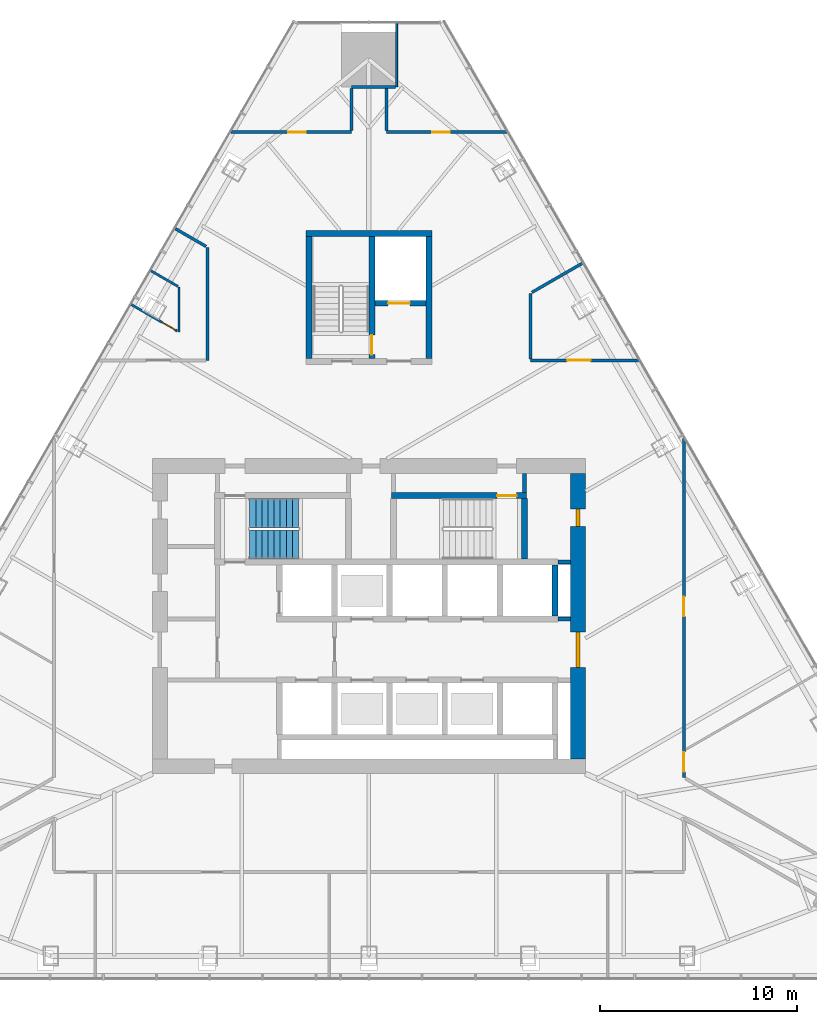
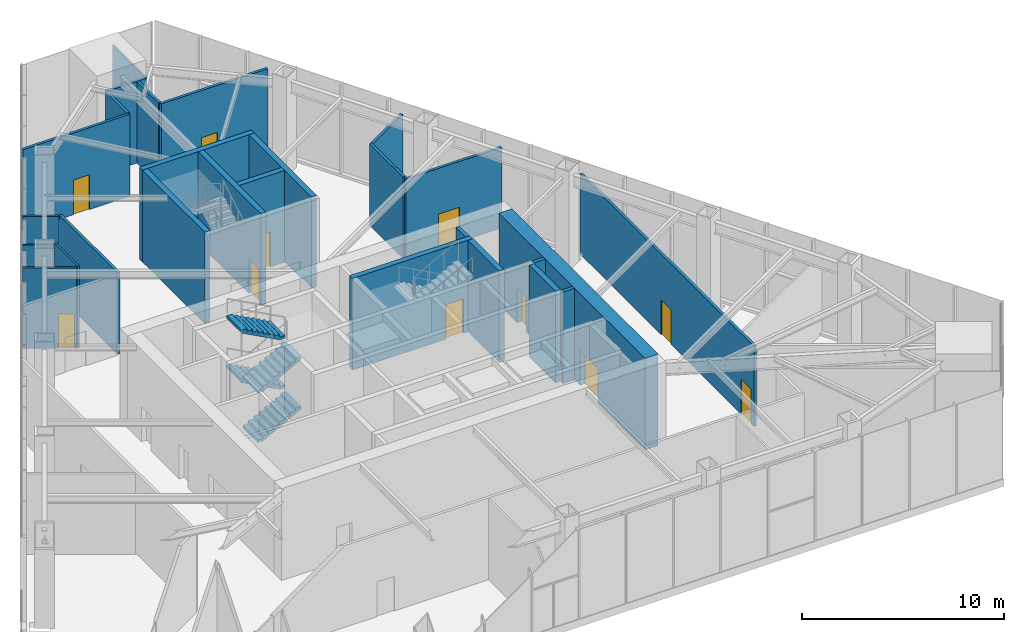
# One storey, part 12 of 16: 27 walls, 11 doors, 4 stair flights, 11 openings, 1 element without a shape of its own.
"""IFC4 building model written with IfcOpenShell, lengths in metres."""

from ifc_helpers import new_model, si_unit, direction, frame, frame_2d, origin, place, context, subcontext, project, spatial, polyline, rectangle, outline, extrude, material, layer, layer_set, type_object, element, fill, aggregate, save


model = new_model("IFC4")

# Units and contexts
model_context = context("Model", 3, precision=1e-05, world=origin(), true_north=direction((0.0, 1.0)))
body_context = subcontext(model_context, "Body", "Model", "MODEL_VIEW")
ifc_project = project(units=[si_unit("LENGTHUNIT", "METRE"), si_unit("AREAUNIT", "SQUARE_METRE"), si_unit("VOLUMEUNIT", "CUBIC_METRE"), si_unit("PLANEANGLEUNIT", "RADIAN"), si_unit("MASSUNIT", "GRAM", prefix="KILO")], contexts=[model_context])

# Site, building, storey
site_placement = place(None, origin())
site = spatial("IfcSite", under=ifc_project, at=site_placement, CompositionType="ELEMENT")
building_placement = place(site_placement, origin())
building = spatial("IfcBuilding", under=site, at=building_placement, Name="Firuza Gate Tower and Library", CompositionType="ELEMENT")
storey_placement = place(building_placement, frame((0.0, 0.0, 241.60009765625)))
storey = spatial("IfcBuildingStorey", under=building, at=storey_placement, Name="L57", CompositionType="ELEMENT", Elevation=241.60009765625)

# Walls
ifc_material_1 = material(Name="Plasterboard on steel studs", Category="steel")
ifc_layer_1 = layer(ifc_material_1, 0.199951171875)
ifc_layer_set_1 = layer_set([ifc_layer_1], Name="Core partition 200 EI 120")
wall_type_1 = type_object("IfcWallType", Name="Core partition 200 EI 120", PredefinedType="PARTITIONING", material=ifc_layer_set_1)
for number, where, z_axis, x_axis, name in (
    (1, (84.60009765625, 74.85009765625, 0.0), (0.0, 0.0, 1.0), (1.0, 0.0, 0.0), "Core partition L57 4"),
    (2, (84.60009765625, 77.75, 0.0), (0.0, 0.0, 1.0), (1.0, 0.0, 0.0), "Core partition L57 5"),
):
    element("IfcWall", number, at=place(storey_placement, frame(where, z_axis=z_axis, x_axis=x_axis)), inside=storey, type_object=wall_type_1, Name=name, PredefinedType="PARTITIONING", context=body_context, shape_type="SweptSolid", body=[
        extrude(rectangle(XDim=0.64990234375, YDim=0.199951171875, at=frame_2d((0.324951171875, 0.0))), origin(), (0.0, 0.0, 1.0), 5.5498046875),
    ])
ifc_material_2 = material(Name="Plasterboard on steel studs", Category="steel")
ifc_layer_2 = layer(ifc_material_2, 0.199951171875)
ifc_layer_set_2 = layer_set([ifc_layer_2], Name="Core partition 200 EI 60")
wall_type_2 = type_object("IfcWallType", Name="Core partition 200 EI 60", PredefinedType="PARTITIONING", material=ifc_layer_set_2)
wall_1_placement = place(storey_placement, frame((82.89990234375, 81.280029296875, 0.0), z_axis=(0.0, 0.0, 1.0), x_axis=(0.0, 1.0, 0.0)))
element("IfcWall", 3, at=wall_1_placement, inside=storey, type_object=wall_type_2, Name="Core partition L57 13", PredefinedType="PARTITIONING", context=body_context, shape_type="SweptSolid", body=[
    extrude(rectangle(XDim=0.969970703125, YDim=0.199951171875, at=frame_2d((0.48486328125, 0.0))), origin(), (0.0, 0.0, 1.0), 5.5498046875),
])
ifc_material_3 = material(Name="Concrete C80/95", Category="concrete")
ifc_layer_3 = layer(ifc_material_3, 0.300048828125)
ifc_layer_set_3 = layer_set([ifc_layer_3], Name="Core wall 300 C80/95")
wall_type_3 = type_object("IfcWallType", Name="Core wall 300 C80/95", PredefinedType="SHEAR", material=ifc_layer_set_3)
wall_2_placement = place(storey_placement, frame((84.449951171875, 75.0, 0.0), z_axis=(0.0, 0.0, 1.0), x_axis=(0.0, 1.0, 0.0)))
element("IfcWall", 4, at=wall_2_placement, inside=storey, type_object=wall_type_3, Name="Core wall L57 19", PredefinedType="SHEAR", context=body_context, shape_type="SweptSolid", body=[
    extrude(rectangle(XDim=2.60009765625, YDim=0.300048828125, at=frame_2d((1.300048828125, 0.0))), origin(), (0.0, 0.0, 1.0), 5.5498046875),
])

# Wall, opening, door
wall_3_placement = place(storey_placement, frame((76.139892578125, 81.1298828125, 0.0), z_axis=(0.0, 0.0, 1.0), x_axis=(1.0, 0.0, 0.0)))
wall_3 = element("IfcWall", 5, at=wall_3_placement, inside=storey, type_object=wall_type_3, Name="Core wall L57 22", PredefinedType="SHEAR", context=body_context, shape_type="SweptSolid", body=[
    extrude(rectangle(XDim=6.860107421875, YDim=0.300048828125, at=frame_2d((3.43017578125, 0.0))), origin(), (0.0, 0.0, 1.0), 5.5498046875),
])
opening_1_placement = place(wall_3_placement, frame((5.364990234375, 0.0, 0.0)))
opening_1 = element("IfcOpeningElement", 6, at=opening_1_placement, cuts=wall_3, Name="Opening L57-K13", PredefinedType="OPENING", context=body_context, shape_type="SweptSolid", body=[
    extrude(rectangle(XDim=1.0, YDim=2.10009765625, at=frame_2d((0.5, 1.050048828125))), frame((0.0, 0.16015625, 0.0), z_axis=(0.0, -1.0, 0.0), x_axis=(1.0, 0.0, 0.0)), (0.0, 0.0, 1.0), 0.320068359375),
])
ifc_material_4 = material(Name="Steel", Category="steel")
door_type_1 = type_object("IfcDoorType", Name="Fire door 1000x2100 FD90", OperationType="NOTDEFINED", PredefinedType="DOOR", material=ifc_material_4)
door_1_placement = place(opening_1_placement, origin())
door_1 = element("IfcDoor", 7, at=door_1_placement, inside=storey, type_object=door_type_1, Name="Door L57-K13", OperationType="SINGLE_SWING_RIGHT", OverallHeight=2.10009765625, OverallWidth=1.0, PredefinedType="DOOR", context=body_context, shape_type="SweptSolid", body=[
    extrude(rectangle(XDim=1.0, YDim=2.10009765625, at=frame_2d((0.5, 1.050048828125))), frame((0.0, 0.02490234375, 0.0), z_axis=(0.0, -1.0, 0.0), x_axis=(1.0, 0.0, 0.0)), (0.0, 0.0, 1.0), 0.050048828125),
])
fill(opening_1, door_1)

# Walls
wall_4_placement = place(storey_placement, frame((82.89990234375, 77.89990234375, 0.0), z_axis=(0.0, 0.0, 1.0), x_axis=(0.0, 1.0, 0.0)))
element("IfcWall", 8, at=wall_4_placement, inside=storey, type_object=wall_type_3, Name="Core wall L57 26", PredefinedType="SHEAR", context=body_context, shape_type="SweptSolid", body=[
    extrude(rectangle(XDim=3.080078125, YDim=0.300048828125, at=frame_2d((1.5400390625, 0.0))), origin(), (0.0, 0.0, 1.0), 5.5498046875),
])
wall_5_placement = place(storey_placement, frame((71.800048828125, 94.449951171875, 0.0), z_axis=(0.0, 0.0, 1.0), x_axis=(1.0, 0.0, 0.0)))
element("IfcWall", 9, at=wall_5_placement, inside=storey, type_object=wall_type_3, Name="Core wall L57 28", PredefinedType="SHEAR", context=body_context, shape_type="SweptSolid", body=[
    extrude(rectangle(XDim=6.39990234375, YDim=0.300048828125, at=frame_2d((3.199951171875, 0.0))), origin(), (0.0, 0.0, 1.0), 5.5498046875),
])
for number, where, z_axis, x_axis, name in (
    (10, (71.949951171875, 88.10009765625, 0.0), (0.0, 0.0, 1.0), (0.0, 1.0, 0.0), "Core wall L57 29"),
    (11, (78.050048828125, 88.10009765625, 0.0), (0.0, 0.0, 1.0), (0.0, 1.0, 0.0), "Core wall L57 30"),
):
    element("IfcWall", number, at=place(storey_placement, frame(where, z_axis=z_axis, x_axis=x_axis)), inside=storey, type_object=wall_type_3, Name=name, PredefinedType="SHEAR", context=body_context, shape_type="SweptSolid", body=[
        extrude(rectangle(XDim=6.199951171875, YDim=0.300048828125, at=frame_2d((3.10009765625, 0.0))), origin(), (0.0, 0.0, 1.0), 5.5498046875),
    ])

# Wall, opening, door
wall_6_placement = place(storey_placement, frame((75.300048828125, 90.89990234375, 0.0), z_axis=(0.0, 0.0, 1.0), x_axis=(1.0, 0.0, 0.0)))
wall_6 = element("IfcWall", 12, at=wall_6_placement, inside=storey, type_object=wall_type_3, Name="Core wall L57 31", PredefinedType="SHEAR", context=body_context, shape_type="SweptSolid", body=[
    extrude(rectangle(XDim=2.599853515625, YDim=0.300048828125, at=frame_2d((1.2998046875, 0.0))), origin(), (0.0, 0.0, 1.0), 5.5498046875),
])
opening_2_placement = place(wall_6_placement, frame((0.675048828125, 0.0, 0.0)))
opening_2 = element("IfcOpeningElement", 13, at=opening_2_placement, cuts=wall_6, Name="Opening LD-SV1-L57", PredefinedType="OPENING", context=body_context, shape_type="SweptSolid", body=[
    extrude(rectangle(XDim=1.10009765625, YDim=2.10009765625, at=frame_2d((0.550048828125, 1.050048828125))), frame((0.0, 0.16015625, 0.0), z_axis=(0.0, -1.0, 0.0), x_axis=(1.0, 0.0, 0.0)), (0.0, 0.0, 1.0), 0.320068359375),
])
ifc_material_5 = material(Name="Stainless steel", Category="steel")
door_type_2 = type_object("IfcDoorType", Name="Lift landing door 1100x2100", OperationType="DOUBLE_DOOR_SLIDING", PredefinedType="DOOR", material=ifc_material_5)
door_2_placement = place(opening_2_placement, origin())
door_2 = element("IfcDoor", 14, at=door_2_placement, inside=storey, type_object=door_type_2, Name="Landing door SV1 L57", OperationType="DOUBLE_DOOR_SLIDING", OverallHeight=2.10009765625, OverallWidth=1.10009765625, PredefinedType="DOOR", context=body_context, shape_type="SweptSolid", body=[
    extrude(rectangle(XDim=1.10009765625, YDim=2.10009765625, at=frame_2d((0.550048828125, 1.050048828125))), frame((0.0, 0.02490234375, 0.0), z_axis=(0.0, -1.0, 0.0), x_axis=(1.0, 0.0, 0.0)), (0.0, 0.0, 1.0), 0.050048828125),
])
fill(opening_2, door_2)

wall_7_placement = place(storey_placement, frame((75.14990234375, 88.10009765625, 0.0), z_axis=(0.0, 0.0, 1.0), x_axis=(0.0, 1.0, 0.0)))
wall_7 = element("IfcWall", 15, at=wall_7_placement, inside=storey, type_object=wall_type_3, Name="Core wall L57 32", PredefinedType="SHEAR", context=body_context, shape_type="SweptSolid", body=[
    extrude(rectangle(XDim=6.199951171875, YDim=0.300048828125, at=frame_2d((3.10009765625, 0.0))), origin(), (0.0, 0.0, 1.0), 5.5498046875),
])
opening_3_placement = place(wall_7_placement, frame((0.18505859375, 0.0, 0.0)))
opening_3 = element("IfcOpeningElement", 16, at=opening_3_placement, cuts=wall_7, Name="Opening L57-K16", PredefinedType="OPENING", context=body_context, shape_type="SweptSolid", body=[
    extrude(rectangle(XDim=1.0, YDim=2.10009765625, at=frame_2d((0.5, 1.050048828125))), frame((0.0, 0.16015625, 0.0), z_axis=(0.0, -1.0, 0.0), x_axis=(1.0, 0.0, 0.0)), (0.0, 0.0, 1.0), 0.320068359375),
])
door_3_placement = place(opening_3_placement, origin())
door_3 = element("IfcDoor", 17, at=door_3_placement, inside=storey, type_object=door_type_1, Name="Door L57-K16", OperationType="SINGLE_SWING_LEFT", OverallHeight=2.10009765625, OverallWidth=1.0, PredefinedType="DOOR", context=body_context, shape_type="SweptSolid", body=[
    extrude(rectangle(XDim=1.0, YDim=2.10009765625, at=frame_2d((0.5, 1.050048828125))), frame((0.0, 0.02490234375, 0.0), z_axis=(0.0, -1.0, 0.0), x_axis=(1.0, 0.0, 0.0)), (0.0, 0.0, 1.0), 0.050048828125),
])
fill(opening_3, door_3)

# Wall, openings, doors
ifc_material_6 = material(Name="Concrete C80/95", Category="concrete")
ifc_layer_4 = layer(ifc_material_6, 0.75)
ifc_layer_set_4 = layer_set([ifc_layer_4], Name="Core wall 750 C80/95")
wall_type_4 = type_object("IfcWallType", Name="Core wall 750 C80/95", PredefinedType="SHEAR", material=ifc_layer_set_4)
wall_8_placement = place(storey_placement, frame((85.625, 67.75, 0.0), z_axis=(0.0, 0.0, 1.0), x_axis=(0.0, 1.0, 0.0)))
wall_8 = element("IfcWall", 18, at=wall_8_placement, inside=storey, type_object=wall_type_4, Name="Core wall L57 4", PredefinedType="SHEAR", context=body_context, shape_type="SweptSolid", body=[
    extrude(rectangle(XDim=14.5, YDim=0.75, at=frame_2d((7.25, 0.0))), origin(), (0.0, 0.0, 1.0), 5.5498046875),
])
opening_4_placement = place(wall_8_placement, frame((4.64990234375, 0.0, 0.0)))
opening_4 = element("IfcOpeningElement", 19, at=opening_4_placement, cuts=wall_8, Name="Opening L57-K21", PredefinedType="OPENING", context=body_context, shape_type="SweptSolid", body=[
    extrude(rectangle(XDim=1.800048828125, YDim=2.10009765625, at=frame_2d((0.89990234375, 1.050048828125))), frame((0.0, 0.385009765625, 0.0), z_axis=(0.0, -1.0, 0.0), x_axis=(1.0, 0.0, 0.0)), (0.0, 0.0, 1.0), 0.77001953125),
])
opening_5_placement = place(wall_8_placement, frame((11.800048828125, 0.0, 0.0)))
opening_5 = element("IfcOpeningElement", 20, at=opening_5_placement, cuts=wall_8, Name="Opening L57-K26", PredefinedType="OPENING", context=body_context, shape_type="SweptSolid", body=[
    extrude(rectangle(XDim=0.89990234375, YDim=2.10009765625, at=frame_2d((0.449951171875, 1.050048828125))), frame((0.0, 0.385009765625, 0.0), z_axis=(0.0, -1.0, 0.0), x_axis=(1.0, 0.0, 0.0)), (0.0, 0.0, 1.0), 0.77001953125),
])
ifc_material_7 = material(Name="Steel", Category="steel")
door_type_3 = type_object("IfcDoorType", Name="Fire door 1800x2100 FD30S", OperationType="NOTDEFINED", PredefinedType="DOOR", material=ifc_material_7)
door_4_placement = place(opening_4_placement, origin())
door_4 = element("IfcDoor", 21, at=door_4_placement, inside=storey, type_object=door_type_3, Name="Door L57-K21", OperationType="SINGLE_SWING_RIGHT", OverallHeight=2.10009765625, OverallWidth=1.800048828125, PredefinedType="DOOR", context=body_context, shape_type="SweptSolid", body=[
    extrude(rectangle(XDim=1.800048828125, YDim=2.10009765625, at=frame_2d((0.89990234375, 1.050048828125))), frame((0.0, 0.094970703125, 0.0), z_axis=(0.0, -1.0, 0.0), x_axis=(1.0, 0.0, 0.0)), (0.0, 0.0, 1.0), 0.18994140625),
])
fill(opening_4, door_4)
ifc_material_8 = material(Name="Steel", Category="steel")
door_type_4 = type_object("IfcDoorType", Name="Fire door 900x2100 FD30S", OperationType="NOTDEFINED", PredefinedType="DOOR", material=ifc_material_8)
door_5_placement = place(opening_5_placement, origin())
door_5 = element("IfcDoor", 22, at=door_5_placement, inside=storey, type_object=door_type_4, Name="Door L57-K26", OperationType="SINGLE_SWING_LEFT", OverallHeight=2.10009765625, OverallWidth=0.89990234375, PredefinedType="DOOR", context=body_context, shape_type="SweptSolid", body=[
    extrude(rectangle(XDim=0.89990234375, YDim=2.10009765625, at=frame_2d((0.449951171875, 1.050048828125))), frame((0.0, 0.094970703125, 0.0), z_axis=(0.0, -1.0, 0.0), x_axis=(1.0, 0.0, 0.0)), (0.0, 0.0, 1.0), 0.18994140625),
])
fill(opening_5, door_5)

# Wall, opening, door
ifc_material_9 = material(Name="Gypsum board partition")
ifc_layer_5 = layer(ifc_material_9, 0.14990234375)
ifc_layer_set_5 = layer_set([ifc_layer_5], Name="Corridor wall 150 double board on steel studs")
wall_type_5 = type_object("IfcWallType", Name="Corridor wall 150 double board on steel studs", PredefinedType="PARTITIONING", material=ifc_layer_set_5)
wall_9_placement = place(storey_placement, frame((83.199951171875, 88.0, 0.0), z_axis=(0.0, 0.0, 1.0), x_axis=(1.0, 0.0, 0.0)))
wall_9 = element("IfcWall", 23, at=wall_9_placement, inside=storey, type_object=wall_type_5, Name="f:L57:w002", PredefinedType="PARTITIONING", context=body_context, shape_type="SweptSolid", body=[
    extrude(rectangle(XDim=5.50048828125, YDim=0.14990234375, at=frame_2d((2.750244140625, 0.0))), origin(), (0.0, 0.0, 1.0), 4.871826171875),
])
opening_6_placement = place(wall_9_placement, frame((1.861572265625, 0.0, 0.0)))
opening_6 = element("IfcOpeningElement", 24, at=opening_6_placement, cuts=wall_9, Name="Opening L57-06", PredefinedType="OPENING", context=body_context, shape_type="SweptSolid", body=[
    extrude(rectangle(XDim=1.199951171875, YDim=2.10009765625, at=frame_2d((0.60009765625, 1.050048828125))), frame((0.0, 0.0849609375, 0.0), z_axis=(0.0, -1.0, 0.0), x_axis=(1.0, 0.0, 0.0)), (0.0, 0.0, 1.0), 0.169921875),
])
ifc_material_10 = material(Name="Steel door and timber leaf", Category="steel")
door_type_5 = type_object("IfcDoorType", Name="Fire door 1200 x 2100 steel frame, double leaf", OperationType="NOTDEFINED", PredefinedType="DOOR", material=ifc_material_10)
door_6_placement = place(opening_6_placement, origin())
door_6 = element("IfcDoor", 25, at=door_6_placement, inside=storey, type_object=door_type_5, Name="f:L57:d006", OperationType="DOUBLE_DOOR_SINGLE_SWING", OverallHeight=2.10009765625, OverallWidth=1.199951171875, PredefinedType="DOOR", context=body_context, shape_type="SweptSolid", body=[
    extrude(rectangle(XDim=1.199951171875, YDim=2.10009765625, at=frame_2d((0.60009765625, 1.050048828125))), frame((0.0, 0.02490234375, 0.0), z_axis=(0.0, -1.0, 0.0), x_axis=(1.0, 0.0, 0.0)), (0.0, 0.0, 1.0), 0.050048828125),
])
fill(opening_6, door_6)

wall_10_placement = place(storey_placement, frame((67.996826171875, 99.60009765625, 0.0), z_axis=(0.0, 0.0, 1.0), x_axis=(1.0, 0.0, 0.0)))
wall_10 = element("IfcWall", 26, at=wall_10_placement, inside=storey, type_object=wall_type_5, Name="f:L57:w003", PredefinedType="PARTITIONING", context=body_context, shape_type="SweptSolid", body=[
    extrude(rectangle(XDim=6.103271484375, YDim=0.14990234375, at=frame_2d((3.0517578125, 0.0))), origin(), (0.0, 0.0, 1.0), 4.949951171875),
])
opening_7_placement = place(wall_10_placement, frame((2.89013671875, 0.0, 0.0)))
opening_7 = element("IfcOpeningElement", 27, at=opening_7_placement, cuts=wall_10, Name="Opening L57-07", PredefinedType="OPENING", context=body_context, shape_type="SweptSolid", body=[
    extrude(rectangle(XDim=0.89990234375, YDim=2.10009765625, at=frame_2d((0.449951171875, 1.050048828125))), frame((0.0, 0.0849609375, 0.0), z_axis=(0.0, -1.0, 0.0), x_axis=(1.0, 0.0, 0.0)), (0.0, 0.0, 1.0), 0.169921875),
])
ifc_material_11 = material(Name="Steel door and timber leaf", Category="steel")
door_type_6 = type_object("IfcDoorType", Name="Fire door 900 x 2100 steel frame, timber leaf", OperationType="NOTDEFINED", PredefinedType="DOOR", material=ifc_material_11)
door_7_placement = place(opening_7_placement, origin())
door_7 = element("IfcDoor", 28, at=door_7_placement, inside=storey, type_object=door_type_6, Name="f:L57:d007", OperationType="SINGLE_SWING_LEFT", OverallHeight=2.10009765625, OverallWidth=0.89990234375, PredefinedType="DOOR", context=body_context, shape_type="SweptSolid", body=[
    extrude(rectangle(XDim=0.89990234375, YDim=2.10009765625, at=frame_2d((0.449951171875, 1.050048828125))), frame((0.0, 0.02490234375, 0.0), z_axis=(0.0, -1.0, 0.0), x_axis=(1.0, 0.0, 0.0)), (0.0, 0.0, 1.0), 0.050048828125),
])
fill(opening_7, door_7)

wall_11_placement = place(storey_placement, frame((75.89990234375, 99.60009765625, 0.0), z_axis=(0.0, 0.0, 1.0), x_axis=(1.0, 0.0, 0.0)))
wall_11 = element("IfcWall", 29, at=wall_11_placement, inside=storey, type_object=wall_type_5, Name="f:L57:w004", PredefinedType="PARTITIONING", context=body_context, shape_type="SweptSolid", body=[
    extrude(rectangle(XDim=6.103271484375, YDim=0.14990234375, at=frame_2d((3.0517578125, 0.0))), origin(), (0.0, 0.0, 1.0), 4.949951171875),
])
opening_8_placement = place(wall_11_placement, frame((2.312744140625, 0.0, 0.0)))
opening_8 = element("IfcOpeningElement", 30, at=opening_8_placement, cuts=wall_11, Name="Opening L57-08", PredefinedType="OPENING", context=body_context, shape_type="SweptSolid", body=[
    extrude(rectangle(XDim=0.89990234375, YDim=2.10009765625, at=frame_2d((0.449951171875, 1.050048828125))), frame((0.0, 0.0849609375, 0.0), z_axis=(0.0, -1.0, 0.0), x_axis=(1.0, 0.0, 0.0)), (0.0, 0.0, 1.0), 0.169921875),
])
door_8_placement = place(opening_8_placement, origin())
door_8 = element("IfcDoor", 31, at=door_8_placement, inside=storey, type_object=door_type_6, Name="f:L57:d008", OperationType="SINGLE_SWING_RIGHT", OverallHeight=2.10009765625, OverallWidth=0.89990234375, PredefinedType="DOOR", context=body_context, shape_type="SweptSolid", body=[
    extrude(rectangle(XDim=0.89990234375, YDim=2.10009765625, at=frame_2d((0.449951171875, 1.050048828125))), frame((0.0, 0.02490234375, 0.0), z_axis=(0.0, -1.0, 0.0), x_axis=(1.0, 0.0, 0.0)), (0.0, 0.0, 1.0), 0.050048828125),
])
fill(opening_8, door_8)

# Walls
wall_12_placement = place(storey_placement, frame((74.1005859375, 101.89404296875, 0.0), z_axis=(0.0, 0.0, 1.0), x_axis=(1.0, 0.0, 0.0)))
element("IfcWall", 32, at=wall_12_placement, inside=storey, type_object=wall_type_5, Name="f:L57:w005", PredefinedType="PARTITIONING", context=body_context, shape_type="SweptSolid", body=[
    extrude(rectangle(XDim=2.2490234375, YDim=0.14990234375, at=frame_2d((1.12451171875, 0.0))), origin(), (0.0, 0.0, 1.0), 4.947021484375),
])
wall_13_placement = place(storey_placement, frame((83.275146484375, 91.45068359375, 0.0), z_axis=(0.0, 0.0, 1.0), x_axis=(0.866016014115, 0.500016263033, 0.0)))
element("IfcWall", 33, at=wall_13_placement, inside=storey, type_object=wall_type_5, Name="f:L57:w010", PredefinedType="PARTITIONING", context=body_context, shape_type="SweptSolid", body=[
    extrude(rectangle(XDim=2.97314453125, YDim=0.14990234375, at=frame_2d((1.486572265625, 0.0))), origin(), (0.0, 0.0, 1.0), 4.871826171875),
])

# Wall, openings, doors
wall_14_placement = place(storey_placement, frame((91.0, 84.016845703125, 0.0), z_axis=(0.0, 0.0, 1.0), x_axis=(0.0, -1.0, 0.0)))
wall_14 = element("IfcWall", 34, at=wall_14_placement, inside=storey, type_object=wall_type_5, Name="f:L57:w013", PredefinedType="PARTITIONING", context=body_context, shape_type="SweptSolid", body=[
    extrude(rectangle(XDim=17.215087890625, YDim=0.14990234375, at=frame_2d((8.607421875, 0.0))), origin(), (0.0, 0.0, 1.0), 4.871826171875),
])
opening_9_placement = place(wall_14_placement, frame((8.023681640625, 0.0, 0.0)))
opening_9 = element("IfcOpeningElement", 35, at=opening_9_placement, cuts=wall_14, Name="Opening L57-10", PredefinedType="OPENING", context=body_context, shape_type="SweptSolid", body=[
    extrude(rectangle(XDim=1.0, YDim=2.10009765625, at=frame_2d((0.5, 1.050048828125))), frame((0.0, 0.0849609375, 0.0), z_axis=(0.0, -1.0, 0.0), x_axis=(1.0, 0.0, 0.0)), (0.0, 0.0, 1.0), 0.169921875),
])
opening_10_placement = place(wall_14_placement, frame((15.927734375, 0.0, 0.0)))
opening_10 = element("IfcOpeningElement", 36, at=opening_10_placement, cuts=wall_14, Name="Opening L57-11", PredefinedType="OPENING", context=body_context, shape_type="SweptSolid", body=[
    extrude(rectangle(XDim=1.0, YDim=2.10009765625, at=frame_2d((0.5, 1.050048828125))), frame((0.0, 0.0849609375, 0.0), z_axis=(0.0, -1.0, 0.0), x_axis=(1.0, 0.0, 0.0)), (0.0, 0.0, 1.0), 0.169921875),
])
ifc_material_12 = material(Name="Steel door and timber leaf", Category="steel")
door_type_7 = type_object("IfcDoorType", Name="Fire door 1000 x 2100 steel frame, timber leaf", OperationType="NOTDEFINED", PredefinedType="DOOR", material=ifc_material_12)
door_9_placement = place(opening_9_placement, origin())
door_9 = element("IfcDoor", 37, at=door_9_placement, inside=storey, type_object=door_type_7, Name="f:L57:d010", OperationType="SINGLE_SWING_LEFT", OverallHeight=2.10009765625, OverallWidth=1.0, PredefinedType="DOOR", context=body_context, shape_type="SweptSolid", body=[
    extrude(rectangle(XDim=1.0, YDim=2.10009765625, at=frame_2d((0.5, 1.050048828125))), frame((0.0, 0.02490234375, 0.0), z_axis=(0.0, -1.0, 0.0), x_axis=(1.0, 0.0, 0.0)), (0.0, 0.0, 1.0), 0.050048828125),
])
fill(opening_9, door_9)
door_10_placement = place(opening_10_placement, origin())
door_10 = element("IfcDoor", 38, at=door_10_placement, inside=storey, type_object=door_type_7, Name="f:L57:d011", OperationType="SINGLE_SWING_RIGHT", OverallHeight=2.10009765625, OverallWidth=1.0, PredefinedType="DOOR", context=body_context, shape_type="SweptSolid", body=[
    extrude(rectangle(XDim=1.0, YDim=2.10009765625, at=frame_2d((0.5, 1.050048828125))), frame((0.0, 0.02490234375, 0.0), z_axis=(0.0, -1.0, 0.0), x_axis=(1.0, 0.0, 0.0)), (0.0, 0.0, 1.0), 0.050048828125),
])
fill(opening_10, door_10)

# Walls
wall_15_placement = place(storey_placement, frame((83.199951171875, 88.074951171875, 0.0), z_axis=(0.0, 0.0, 1.0), x_axis=(0.0, 1.0, 0.0)))
element("IfcWall", 39, at=wall_15_placement, inside=storey, type_object=wall_type_5, Name="f:L57:w015", PredefinedType="PARTITIONING", context=body_context, shape_type="SweptSolid", body=[
    extrude(rectangle(XDim=3.33251953125, YDim=0.14990234375, at=frame_2d((1.666259765625, 0.0))), origin(), (0.0, 0.0, 1.0), 4.949951171875),
])
wall_16_placement = place(storey_placement, frame((75.89990234375, 99.675048828125, 0.0), z_axis=(0.0, 0.0, 1.0), x_axis=(0.0, 1.0, 0.0)))
element("IfcWall", 40, at=wall_16_placement, inside=storey, type_object=wall_type_5, Name="f:L57:w017", PredefinedType="PARTITIONING", context=body_context, shape_type="SweptSolid", body=[
    extrude(rectangle(XDim=2.13427734375, YDim=0.14990234375, at=frame_2d((1.067138671875, 0.0))), origin(), (0.0, 0.0, 1.0), 4.949951171875),
])
wall_17_placement = place(storey_placement, frame((74.10009765625, 99.675048828125, 0.0), z_axis=(0.0, 0.0, 1.0), x_axis=(0.0, 1.0, 0.0)))
element("IfcWall", 41, at=wall_17_placement, inside=storey, type_object=wall_type_5, Name="f:L57:w018", PredefinedType="PARTITIONING", context=body_context, shape_type="SweptSolid", body=[
    extrude(rectangle(XDim=2.143798828125, YDim=0.14990234375, at=frame_2d((1.07177734375, 0.0))), origin(), (0.0, 0.0, 1.0), 4.949951171875),
])
wall_18_placement = place(storey_placement, frame((66.800048828125, 88.0, 0.0), z_axis=(0.0, 0.0, 1.0), x_axis=(0.0, 1.0, 0.0)))
element("IfcWall", 42, at=wall_18_placement, inside=storey, type_object=wall_type_5, Name="f:L57:w020", PredefinedType="PARTITIONING", context=body_context, shape_type="SweptSolid", body=[
    extrude(rectangle(XDim=5.7421875, YDim=0.14990234375, at=frame_2d((2.87109375, 0.0))), origin(), (0.0, 0.0, 1.0), 4.949951171875),
])
wall_19_placement = place(storey_placement, frame((66.724853515625, 93.785400390625, 0.0), z_axis=(0.0, 0.0, 1.0), x_axis=(-0.866021216079, 0.500007253249, 0.0)))
element("IfcWall", 43, at=wall_19_placement, inside=storey, type_object=wall_type_5, Name="f:L57:w026", PredefinedType="PARTITIONING", context=body_context, shape_type="SweptSolid", body=[
    extrude(rectangle(XDim=1.8056640625, YDim=0.14990234375, at=frame_2d((0.90283203125, 0.0))), origin(), (0.0, 0.0, 1.0), 4.871826171875),
])
ifc_material_13 = material(Name="Gypsum board partition")
ifc_layer_6 = layer(ifc_material_13, 0.10009765625)
ifc_layer_set_6 = layer_set([ifc_layer_6], Name="Partition 100 gypsum board on steel studs")
wall_type_6 = type_object("IfcWallType", Name="Partition 100 gypsum board on steel studs", PredefinedType="PARTITIONING", material=ifc_layer_set_6)
wall_20_placement = place(storey_placement, frame((76.39990234375, 101.894775390625, 0.0), z_axis=(0.0, 0.0, 1.0), x_axis=(0.0, 1.0, 0.0)))
element("IfcWall", 44, at=wall_20_placement, inside=storey, type_object=wall_type_6, Name="f:L57:w016", PredefinedType="PARTITIONING", context=body_context, shape_type="SweptSolid", body=[
    extrude(rectangle(XDim=3.259521484375, YDim=0.10009765625, at=frame_2d((1.6298828125, 0.0))), origin(), (0.0, 0.0, 1.0), 4.949951171875),
])
ifc_material_14 = material(Name="Gypsum board partition")
ifc_layer_7 = layer(ifc_material_14, 0.1201171875)
ifc_layer_set_7 = layer_set([ifc_layer_7], Name="Wet-area partition 120 moisture-resistant board")
wall_type_7 = type_object("IfcWallType", Name="Wet-area partition 120 moisture-resistant board", PredefinedType="PARTITIONING", material=ifc_layer_set_7)
wall_21_placement = place(storey_placement, frame((65.35009765625, 89.449951171875, 0.0), z_axis=(0.0, 0.0, 1.0), x_axis=(0.0, 1.0, 0.0)))
element("IfcWall", 45, at=wall_21_placement, inside=storey, type_object=wall_type_7, Name="f:L57:w021", PredefinedType="PARTITIONING", context=body_context, shape_type="SweptSolid", body=[
    extrude(rectangle(XDim=2.27392578125, YDim=0.1201171875, at=frame_2d((1.136962890625, 0.0))), origin(), (0.0, 0.0, 1.0), 4.949951171875),
])
wall_22_placement = place(storey_placement, frame((65.289794921875, 91.75830078125, 0.0), z_axis=(0.0, 0.0, 1.0), x_axis=(-0.86599473702, 0.500053112632, 0.0)))
element("IfcWall", 46, at=wall_22_placement, inside=storey, type_object=wall_type_7, Name="f:L57:w027", PredefinedType="PARTITIONING", context=body_context, shape_type="SweptSolid", body=[
    extrude(rectangle(XDim=1.576416015625, YDim=0.1201171875, at=frame_2d((0.7880859375, 0.0))), origin(), (0.0, 0.0, 1.0), 4.871826171875),
])

# Wall, opening, door
wall_23_placement = place(storey_placement, frame((62.9326171875, 90.828369140625, 0.0), z_axis=(0.0, 0.0, 1.0), x_axis=(0.866053945006, -0.499950561895, 0.0)))
wall_23 = element("IfcWall", 47, at=wall_23_placement, inside=storey, type_object=wall_type_7, Name="f:L57:w028", PredefinedType="PARTITIONING", context=body_context, shape_type="SweptSolid", body=[
    extrude(rectangle(XDim=2.686767578125, YDim=0.1201171875, at=frame_2d((1.34326171875, 0.0))), origin(), (0.0, 0.0, 1.0), 4.871826171875),
])
opening_11_placement = place(wall_23_placement, frame((1.79345703125, 0.0, 0.0)))
opening_11 = element("IfcOpeningElement", 48, at=opening_11_placement, cuts=wall_23, Name="Opening L57-13", PredefinedType="OPENING", context=body_context, shape_type="SweptSolid", body=[
    extrude(rectangle(XDim=0.800048828125, YDim=2.10009765625, at=frame_2d((0.39990234375, 1.050048828125))), frame((0.0, 0.070068359375, 0.0), z_axis=(0.0, -1.0, 0.0), x_axis=(1.0, 0.0, 0.0)), (0.0, 0.0, 1.0), 0.14013671875),
])
ifc_material_15 = material(Name="Timber door", Category="wood")
door_type_8 = type_object("IfcDoorType", Name="Door 800 x 2100 timber leaf", OperationType="NOTDEFINED", PredefinedType="DOOR", material=ifc_material_15)
door_11_placement = place(opening_11_placement, origin())
door_11 = element("IfcDoor", 49, at=door_11_placement, inside=storey, type_object=door_type_8, Name="f:L57:d013", OperationType="SINGLE_SWING_RIGHT", OverallHeight=2.10009765625, OverallWidth=0.800048828125, PredefinedType="DOOR", context=body_context, shape_type="SweptSolid", body=[
    extrude(rectangle(XDim=0.800048828125, YDim=2.10009765625, at=frame_2d((0.39990234375, 1.050048828125))), frame((0.0, 0.02490234375, 0.0), z_axis=(0.0, -1.0, 0.0), x_axis=(1.0, 0.0, 0.0)), (0.0, 0.0, 1.0), 0.050048828125),
])
fill(opening_11, door_11)

# Stair, stair flights
ifc_material_16 = material(Name="Concrete C35/45", Category="concrete")
stair_type = type_object("IfcStairType", Name="Exit stair ST6", PredefinedType="HALF_TURN_STAIR", material=ifc_material_16)
stair_placement = place(storey_placement, origin())
stair = element("IfcStair", 50, at=stair_placement, inside=storey, type_object=stair_type, Name="L57 Stair ST1", PredefinedType="HALF_TURN_STAIR")
ifc_material_17 = material(Name="Concrete C35/45", Category="concrete")
stair_flight_type = type_object("IfcStairFlightType", Name="Stair flight 9 risers 166.7 width 1490", PredefinedType="STRAIGHT", material=ifc_material_17)
stair_flight_1_placement = place(storey_placement, frame((68.93994140625, 78.64501953125, 0.0), z_axis=(0.0, 0.0, 1.0), x_axis=(1.0, 0.0, 0.0)))
stair_flight_1 = element("IfcStairFlight", 51, at=stair_flight_1_placement, type_object=stair_flight_type, Name="ST1 flight 1", NumberOfRisers=9, NumberOfTreads=8, PredefinedType="STRAIGHT", RiserHeight=0.166666667, TreadLength=0.31, context=body_context, shape_type="SweptSolid", body=[
    extrude(outline(polyline([(0.0, 0.0), (0.0, 0.166748046875), (0.31005859375, 0.166748046875), (0.31005859375, 0.333251953125), (0.6201171875, 0.333251953125), (0.6201171875, 0.5), (0.929931640625, 0.5), (0.929931640625, 0.666748046875), (1.239990234375, 0.666748046875), (1.239990234375, 0.833251953125), (1.550048828125, 0.833251953125), (1.550048828125, 1.0), (1.860107421875, 1.0), (1.860107421875, 1.166748046875), (2.169921875, 1.166748046875), (2.169921875, 1.333251953125), (2.47998046875, 1.333251953125), (2.47998046875, 1.5), (2.47998046875, 1.1630859375), (0.316650390625, 0.0), (0.0, 0.0)])), frame((0.0, 0.7451171875, 0.0), z_axis=(0.0, -1.0, 0.0), x_axis=(1.0, 0.0, 0.0)), (0.0, 0.0, 1.0), 1.489990234375),
])
stair_flight_2_placement = place(storey_placement, frame((71.419921875, 80.235107421875, 1.5), z_axis=(0.0, 0.0, 1.0), x_axis=(-1.0, 0.0, 0.0)))
stair_flight_2 = element("IfcStairFlight", 52, at=stair_flight_2_placement, type_object=stair_flight_type, Name="ST1 flight 2", NumberOfRisers=9, NumberOfTreads=8, PredefinedType="STRAIGHT", RiserHeight=0.166666667, TreadLength=0.31, context=body_context, shape_type="SweptSolid", body=[
    extrude(outline(polyline([(0.0, 0.0), (0.0, 0.166748046875), (0.31005859375, 0.166748046875), (0.31005859375, 0.333251953125), (0.6201171875, 0.333251953125), (0.6201171875, 0.5), (0.929931640625, 0.5), (0.929931640625, 0.666748046875), (1.239990234375, 0.666748046875), (1.239990234375, 0.833251953125), (1.550048828125, 0.833251953125), (1.550048828125, 1.0), (1.860107421875, 1.0), (1.860107421875, 1.166748046875), (2.169921875, 1.166748046875), (2.169921875, 1.333251953125), (2.47998046875, 1.333251953125), (2.47998046875, 1.5), (2.47998046875, 1.1630859375), (0.316650390625, 0.0), (0.0, 0.0)])), frame((0.0, 0.7451171875, 0.0), z_axis=(0.0, -1.0, 0.0), x_axis=(1.0, 0.0, 0.0)), (0.0, 0.0, 1.0), 1.489990234375),
])
stair_flight_3_placement = place(storey_placement, frame((68.93994140625, 78.64501953125, 3.0), z_axis=(0.0, 0.0, 1.0), x_axis=(1.0, 0.0, 0.0)))
stair_flight_3 = element("IfcStairFlight", 53, at=stair_flight_3_placement, type_object=stair_flight_type, Name="ST1 flight 3", NumberOfRisers=9, NumberOfTreads=8, PredefinedType="STRAIGHT", RiserHeight=0.166666667, TreadLength=0.31, context=body_context, shape_type="SweptSolid", body=[
    extrude(outline(polyline([(0.0, 0.0), (0.0, 0.166748046875), (0.31005859375, 0.166748046875), (0.31005859375, 0.333251953125), (0.6201171875, 0.333251953125), (0.6201171875, 0.5), (0.929931640625, 0.5), (0.929931640625, 0.666748046875), (1.239990234375, 0.666748046875), (1.239990234375, 0.833251953125), (1.550048828125, 0.833251953125), (1.550048828125, 1.0), (1.860107421875, 1.0), (1.860107421875, 1.166748046875), (2.169921875, 1.166748046875), (2.169921875, 1.333251953125), (2.47998046875, 1.333251953125), (2.47998046875, 1.5), (2.47998046875, 1.1630859375), (0.316650390625, 0.0), (0.0, 0.0)])), frame((0.0, 0.7451171875, 0.0), z_axis=(0.0, -1.0, 0.0), x_axis=(1.0, 0.0, 0.0)), (0.0, 0.0, 1.0), 1.489990234375),
])
stair_flight_4_placement = place(storey_placement, frame((71.419921875, 80.235107421875, 4.5), z_axis=(0.0, 0.0, 1.0), x_axis=(-1.0, 0.0, 0.0)))
stair_flight_4 = element("IfcStairFlight", 54, at=stair_flight_4_placement, type_object=stair_flight_type, Name="ST1 flight 4", NumberOfRisers=9, NumberOfTreads=8, PredefinedType="STRAIGHT", RiserHeight=0.166666667, TreadLength=0.31, context=body_context, shape_type="SweptSolid", body=[
    extrude(outline(polyline([(0.0, 0.0), (0.0, 0.166748046875), (0.31005859375, 0.166748046875), (0.31005859375, 0.333251953125), (0.6201171875, 0.333251953125), (0.6201171875, 0.5), (0.929931640625, 0.5), (0.929931640625, 0.666748046875), (1.239990234375, 0.666748046875), (1.239990234375, 0.833251953125), (1.550048828125, 0.833251953125), (1.550048828125, 1.0), (1.860107421875, 1.0), (1.860107421875, 1.166748046875), (2.169921875, 1.166748046875), (2.169921875, 1.333251953125), (2.47998046875, 1.333251953125), (2.47998046875, 1.5), (2.47998046875, 1.1630859375), (0.316650390625, 0.0), (0.0, 0.0)])), frame((0.0, 0.7451171875, 0.0), z_axis=(0.0, -1.0, 0.0), x_axis=(1.0, 0.0, 0.0)), (0.0, 0.0, 1.0), 1.489990234375),
])
aggregate(stair, [stair_flight_1, stair_flight_2, stair_flight_3, stair_flight_4])

save(model, "model.ifc")
